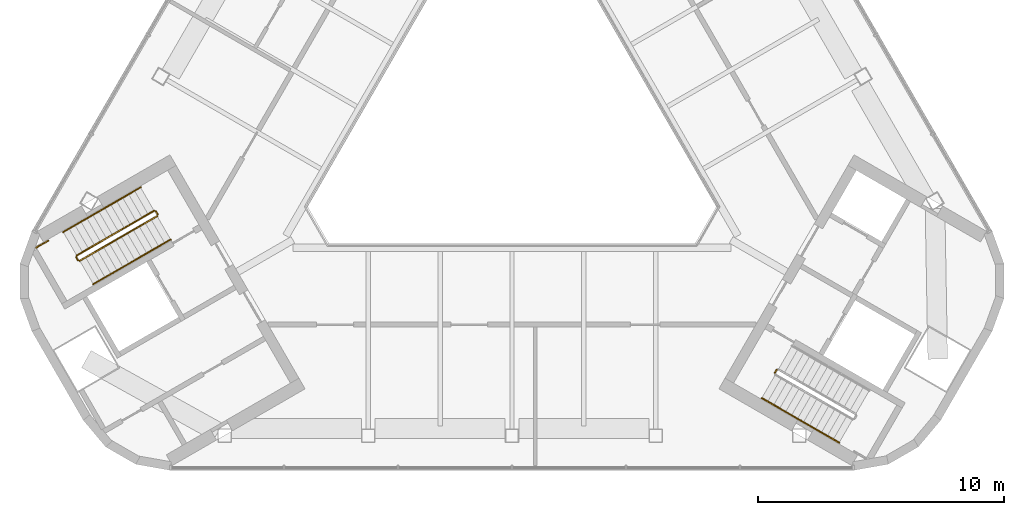
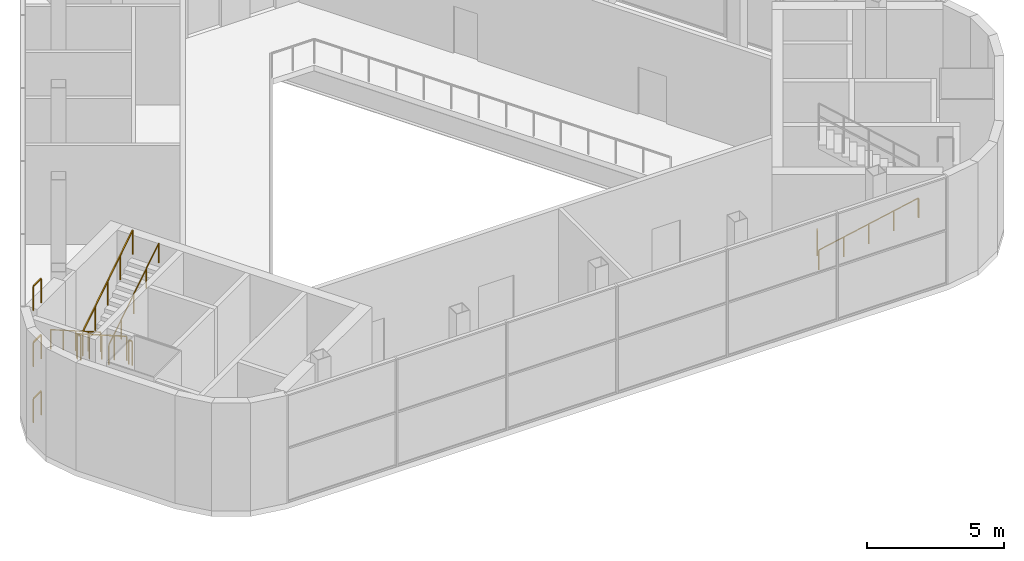
# One storey, part 9 of 11: 11 railings.
"""IFC4 building model written with IfcOpenShell, lengths in metres."""

from ifc_helpers import new_model, si_unit, direction, frame, origin, origin_2d, place, context, subcontext, project, spatial, rectangle, circle, extrude, material, type_object, element, save


model = new_model("IFC4")

# Units and contexts
model_context = context("Model", 3, precision=1e-05, world=origin(), true_north=direction((0.0, 1.0)))
body_context = subcontext(model_context, "Body", "Model", "MODEL_VIEW")
ifc_project = project(units=[si_unit("LENGTHUNIT", "METRE"), si_unit("AREAUNIT", "SQUARE_METRE"), si_unit("VOLUMEUNIT", "CUBIC_METRE"), si_unit("PLANEANGLEUNIT", "RADIAN"), si_unit("MASSUNIT", "GRAM", prefix="KILO")], contexts=[model_context])

# Site, building, storey
site_placement = place(None, origin())
site = spatial("IfcSite", under=ifc_project, at=site_placement, CompositionType="ELEMENT")
building_placement = place(site_placement, origin())
building = spatial("IfcBuilding", under=site, at=building_placement, Name="Apuvela Tower Hotel", CompositionType="ELEMENT")
storey_placement = place(building_placement, frame((0.0, 0.0, 338.300048828125)))
storey = spatial("IfcBuildingStorey", under=building, at=storey_placement, Name="L84", CompositionType="ELEMENT", Elevation=338.300048828125)

# Railings
ifc_material_1 = material(Name="Steel S275 balustrade", Category="steel")
railing_type_1 = type_object("IfcRailingType", Name="COR-GUARD-1100", PredefinedType="GUARDRAIL", material=ifc_material_1)
railing_1_placement = place(storey_placement, frame((-14.569091796875, -3.9658203125, 0.178466796875)))
element("IfcRailing", 1, at=railing_1_placement, inside=storey, type_object=railing_type_1, Name="L84 ST2 stair guard 1", PredefinedType="GUARDRAIL", context=body_context, shape_type="SweptSolid", body=[
    extrude(rectangle(XDim=0.048095703125, YDim=0.048095703125, at=origin_2d()), frame((0.0, 0.0, 1.076171875), z_axis=(-0.730132158462, -0.421588973847, 0.537745077439), x_axis=(0.500041787341, -0.866001276507, 0.0)), (0.0, 0.0, 1.0), 4.317138671875),
    extrude(rectangle(XDim=0.0419921875, YDim=0.0419921875, at=origin_2d()), origin(), (0.0, 0.0, 1.0), 1.052001953125),
    extrude(rectangle(XDim=0.0419921875, YDim=0.0419921875, at=origin_2d()), frame((-0.7880859375, -0.455078125, 0.580322265625)), (0.0, 0.0, 1.0), 1.052001953125),
    extrude(rectangle(XDim=0.0419921875, YDim=0.0419921875, at=origin_2d()), frame((-1.576171875, -0.91015625, 1.16064453125)), (0.0, 0.0, 1.0), 1.052001953125),
    extrude(rectangle(XDim=0.0419921875, YDim=0.0419921875, at=origin_2d()), frame((-2.364013671875, -1.364990234375, 1.7412109375)), (0.0, 0.0, 1.0), 1.052001953125),
    extrude(rectangle(XDim=0.0419921875, YDim=0.0419921875, at=origin_2d()), frame((-3.152099609375, -1.820068359375, 2.321533203125)), (0.0, 0.0, 1.0), 1.052001953125),
])
railing_2_placement = place(storey_placement, frame((-17.739501953125, -5.85400390625, 2.5)))
element("IfcRailing", 2, at=railing_2_placement, inside=storey, type_object=railing_type_1, Name="L84 ST2 stair guard 2", PredefinedType="GUARDRAIL", context=body_context, shape_type="SweptSolid", body=[
    extrude(rectangle(XDim=0.048095703125, YDim=0.048095703125, at=origin_2d()), frame((0.0, 0.0, 1.076171875), z_axis=(0.499816412211, -0.866131372301, 0.0), x_axis=(0.866131372301, 0.499816412211, 0.0)), (0.0, 0.0, 1.0), 0.14990234375),
    extrude(rectangle(XDim=0.0419921875, YDim=0.0419921875, at=origin_2d()), origin(), (0.0, 0.0, 1.0), 1.052001953125),
    extrude(rectangle(XDim=0.0419921875, YDim=0.0419921875, at=origin_2d()), frame((0.074951171875, -0.1298828125, 0.0)), (0.0, 0.0, 1.0), 1.052001953125),
])
railing_3_placement = place(storey_placement, frame((-17.59619140625, -6.002197265625, 2.678466796875)))
element("IfcRailing", 3, at=railing_3_placement, inside=storey, type_object=railing_type_1, Name="L84 ST2 stair guard 3", PredefinedType="GUARDRAIL", context=body_context, shape_type="SweptSolid", body=[
    extrude(rectangle(XDim=0.048095703125, YDim=0.048095703125, at=origin_2d()), frame((0.0, 0.0, 1.076171875), z_axis=(0.730149565253, 0.421542472264, 0.537757897606), x_axis=(-0.499991481599, 0.86603032183, 0.0)), (0.0, 0.0, 1.0), 4.317138671875),
    extrude(rectangle(XDim=0.0419921875, YDim=0.0419921875, at=origin_2d()), origin(), (0.0, 0.0, 1.0), 1.052001953125),
    extrude(rectangle(XDim=0.0419921875, YDim=0.0419921875, at=origin_2d()), frame((0.7880859375, 0.455078125, 0.580322265625)), (0.0, 0.0, 1.0), 1.052001953125),
    extrude(rectangle(XDim=0.0419921875, YDim=0.0419921875, at=origin_2d()), frame((1.576171875, 0.909912109375, 1.16064453125)), (0.0, 0.0, 1.0), 1.052001953125),
    extrude(rectangle(XDim=0.0419921875, YDim=0.0419921875, at=origin_2d()), frame((2.364013671875, 1.36474609375, 1.7412109375)), (0.0, 0.0, 1.0), 1.052001953125),
    extrude(rectangle(XDim=0.0419921875, YDim=0.0419921875, at=origin_2d()), frame((3.152099609375, 1.81982421875, 2.321533203125)), (0.0, 0.0, 1.0), 1.052001953125),
])
railing_4_placement = place(storey_placement, frame((-14.500732421875, -3.984130859375, 0.0)))
element("IfcRailing", 4, at=railing_4_placement, inside=storey, type_object=railing_type_1, Name="L84 ST2 stair guard 4", PredefinedType="GUARDRAIL", context=body_context, shape_type="SweptSolid", body=[
    extrude(rectangle(XDim=0.048095703125, YDim=0.048095703125, at=origin_2d()), frame((0.0, 0.0, 1.076171875), z_axis=(0.499816412211, -0.866131372301, 0.0), x_axis=(0.866131372301, 0.499816412211, 0.0)), (0.0, 0.0, 1.0), 0.14990234375),
    extrude(rectangle(XDim=0.0419921875, YDim=0.0419921875, at=origin_2d()), origin(), (0.0, 0.0, 1.0), 1.052001953125),
    extrude(rectangle(XDim=0.0419921875, YDim=0.0419921875, at=origin_2d()), frame((0.074951171875, -0.1298828125, 0.0)), (0.0, 0.0, 1.0), 1.052001953125),
])
for number, where, name in (
    (5, (-18.873779296875, -5.180908203125, 2.5), "L84 ST2 stair guard 5"),
    (6, (-18.873779296875, -5.180908203125, 0.0), "L84 ST2 stair guard 6"),
    (7, (-18.873779296875, -5.180908203125, 5.0), "L84 ST2 stair guard 7"),
):
    element("IfcRailing", number, at=place(storey_placement, frame(where)), inside=storey, type_object=railing_type_1, Name=name, PredefinedType="GUARDRAIL", context=body_context, shape_type="SweptSolid", body=[
        extrude(rectangle(XDim=0.048095703125, YDim=0.048095703125, at=origin_2d()), frame((0.0, 0.0, 1.076171875), z_axis=(-0.865998287773, -0.500046963369, 0.0), x_axis=(0.500046963369, -0.865998287773, 0.0)), (0.0, 0.0, 1.0), 0.564453125),
        extrude(rectangle(XDim=0.0419921875, YDim=0.0419921875, at=origin_2d()), origin(), (0.0, 0.0, 1.0), 1.052001953125),
        extrude(rectangle(XDim=0.0419921875, YDim=0.0419921875, at=origin_2d()), frame((-0.48876953125, -0.2822265625, 0.0)), (0.0, 0.0, 1.0), 1.052001953125),
    ])
railing_5_placement = place(storey_placement, frame((10.70068359375, -10.56591796875, 0.0)))
element("IfcRailing", 8, at=railing_5_placement, inside=storey, type_object=railing_type_1, Name="L84 ST3 stair guard 4", PredefinedType="GUARDRAIL", context=body_context, shape_type="SweptSolid", body=[
    extrude(rectangle(XDim=0.048095703125, YDim=0.048095703125, at=origin_2d()), frame((0.0, 0.0, 1.076171875), z_axis=(0.499816412211, 0.866131372301, 0.0), x_axis=(-0.866131372301, 0.499816412211, 0.0)), (0.0, 0.0, 1.0), 0.14990234375),
    extrude(rectangle(XDim=0.0419921875, YDim=0.0419921875, at=origin_2d()), origin(), (0.0, 0.0, 1.0), 1.052001953125),
    extrude(rectangle(XDim=0.0419921875, YDim=0.0419921875, at=origin_2d()), frame((0.074951171875, 0.1298828125, 0.0)), (0.0, 0.0, 1.0), 1.052001953125),
])
ifc_material_2 = material(Name="Stainless steel 316 handrail", Category="steel")
railing_type_2 = type_object("IfcRailingType", Name="COR-HANDRAIL-900", PredefinedType="HANDRAIL", material=ifc_material_2)
railing_6_placement = place(storey_placement, frame((-15.118896484375, -3.01318359375, 0.178466796875)))
element("IfcRailing", 9, at=railing_6_placement, inside=storey, type_object=railing_type_2, Name="L84 ST2 stair handrail 1", PredefinedType="HANDRAIL", context=body_context, shape_type="SweptSolid", body=[
    extrude(circle(Radius=0.02392578125, at=origin_2d()), frame((0.0, 0.0, 0.8759765625), z_axis=(-0.730158560966, -0.421571566915, 0.537722874553), x_axis=(0.500012742938, -0.866018046521, 0.0)), (0.0, 0.0, 1.0), 4.3173828125),
    extrude(rectangle(XDim=0.0419921875, YDim=0.0419921875, at=origin_2d()), origin(), (0.0, 0.0, 1.0), 0.851806640625),
    extrude(rectangle(XDim=0.0419921875, YDim=0.0419921875, at=origin_2d()), frame((-0.7880859375, -0.455078125, 0.580322265625)), (0.0, 0.0, 1.0), 0.851806640625),
    extrude(rectangle(XDim=0.0419921875, YDim=0.0419921875, at=origin_2d()), frame((-1.576171875, -0.91015625, 1.16064453125)), (0.0, 0.0, 1.0), 0.851806640625),
    extrude(rectangle(XDim=0.0419921875, YDim=0.0419921875, at=origin_2d()), frame((-2.3642578125, -1.364990234375, 1.7412109375)), (0.0, 0.0, 1.0), 0.851806640625),
    extrude(rectangle(XDim=0.0419921875, YDim=0.0419921875, at=origin_2d()), frame((-3.15234375, -1.820068359375, 2.321533203125)), (0.0, 0.0, 1.0), 0.851806640625),
])
railing_7_placement = place(storey_placement, frame((-17.04638671875, -6.954833984375, 2.678466796875)))
element("IfcRailing", 10, at=railing_7_placement, inside=storey, type_object=railing_type_2, Name="L84 ST2 stair handrail 2", PredefinedType="HANDRAIL", context=body_context, shape_type="SweptSolid", body=[
    extrude(circle(Radius=0.02392578125, at=origin_2d()), frame((0.0, 0.0, 0.8759765625), z_axis=(0.730175966949, 0.421525066422, 0.537735693132), x_axis=(-0.499962438169, 0.866047089031, 0.0)), (0.0, 0.0, 1.0), 4.317138671875),
    extrude(rectangle(XDim=0.0419921875, YDim=0.0419921875, at=origin_2d()), origin(), (0.0, 0.0, 1.0), 0.851806640625),
    extrude(rectangle(XDim=0.0419921875, YDim=0.0419921875, at=origin_2d()), frame((0.7880859375, 0.455078125, 0.580322265625)), (0.0, 0.0, 1.0), 0.851806640625),
    extrude(rectangle(XDim=0.0419921875, YDim=0.0419921875, at=origin_2d()), frame((1.576171875, 0.909912109375, 1.16064453125)), (0.0, 0.0, 1.0), 0.851806640625),
    extrude(rectangle(XDim=0.0419921875, YDim=0.0419921875, at=origin_2d()), frame((2.3642578125, 1.36474609375, 1.7412109375)), (0.0, 0.0, 1.0), 0.851806640625),
    extrude(rectangle(XDim=0.0419921875, YDim=0.0419921875, at=origin_2d()), frame((3.15234375, 1.81982421875, 2.321533203125)), (0.0, 0.0, 1.0), 0.851806640625),
])
railing_8_placement = place(storey_placement, frame((10.1689453125, -11.5869140625, 0.178466796875)))
element("IfcRailing", 11, at=railing_8_placement, inside=storey, type_object=railing_type_2, Name="L84 ST3 stair handrail 1", PredefinedType="HANDRAIL", context=body_context, shape_type="SweptSolid", body=[
    extrude(circle(Radius=0.02392578125, at=origin_2d()), frame((0.0, 0.0, 0.8759765625), z_axis=(0.730175966949, -0.421525066422, 0.537735693132), x_axis=(0.499962438169, 0.866047089031, 0.0)), (0.0, 0.0, 1.0), 4.317138671875),
    extrude(rectangle(XDim=0.0419921875, YDim=0.0419921875, at=origin_2d()), origin(), (0.0, 0.0, 1.0), 0.851806640625),
    extrude(rectangle(XDim=0.0419921875, YDim=0.0419921875, at=origin_2d()), frame((0.7880859375, -0.455078125, 0.580322265625)), (0.0, 0.0, 1.0), 0.851806640625),
    extrude(rectangle(XDim=0.0419921875, YDim=0.0419921875, at=origin_2d()), frame((1.576171875, -0.909912109375, 1.16064453125)), (0.0, 0.0, 1.0), 0.851806640625),
    extrude(rectangle(XDim=0.0419921875, YDim=0.0419921875, at=origin_2d()), frame((2.3642578125, -1.36474609375, 1.7412109375)), (0.0, 0.0, 1.0), 0.851806640625),
    extrude(rectangle(XDim=0.0419921875, YDim=0.0419921875, at=origin_2d()), frame((3.15234375, -1.81982421875, 2.321533203125)), (0.0, 0.0, 1.0), 0.851806640625),
])

save(model, "model.ifc")
